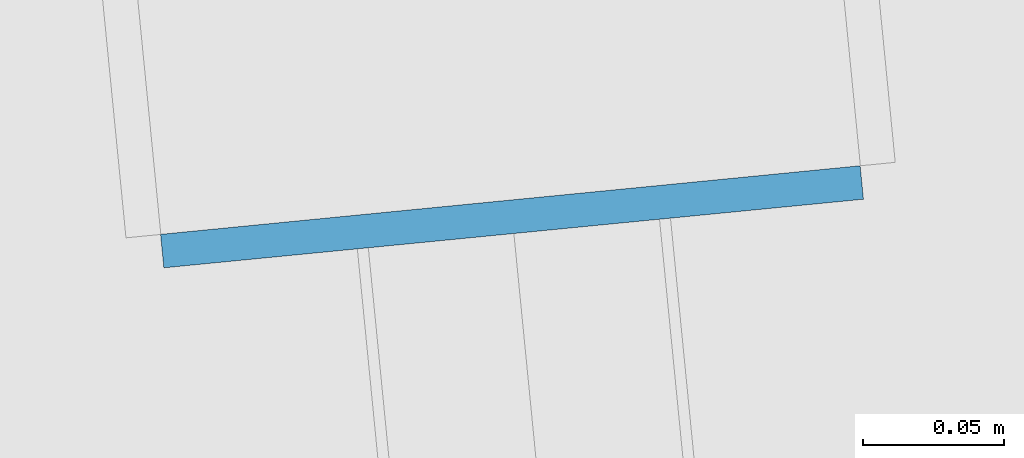
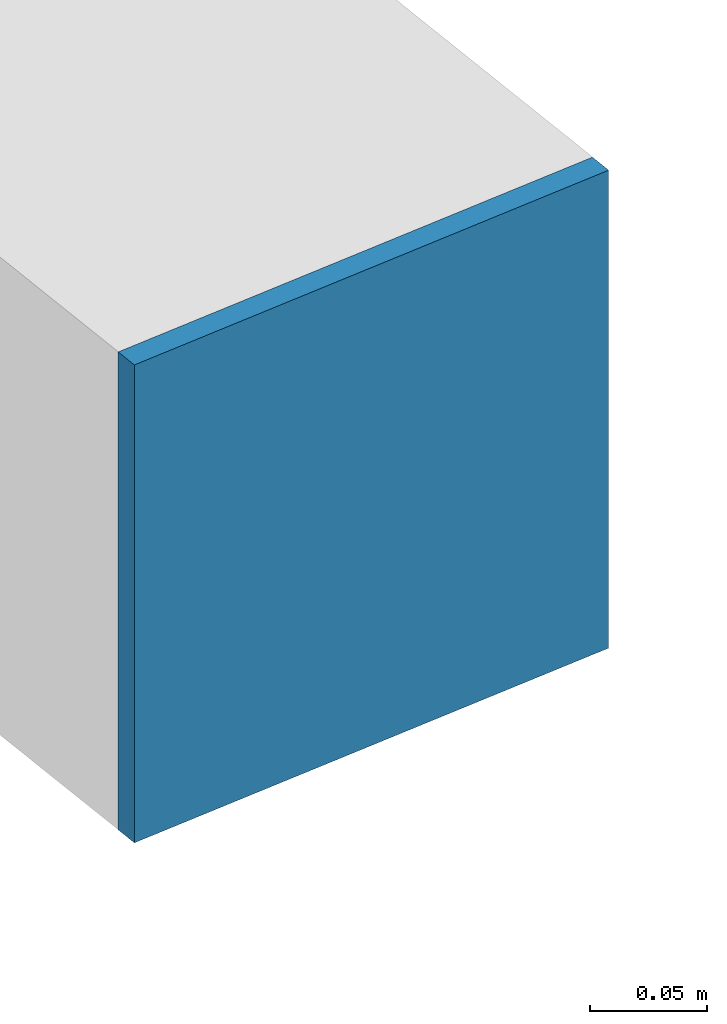
# One storey, part 39 of 52: 1 plate.
"""IFC4 building model written with IfcOpenShell, lengths in metres."""

from ifc_helpers import new_model, si_unit, direction, frame, origin, origin_2d, place, context, subcontext, project, spatial, rectangle, extrude, source, transform, mapped, material, layer, layer_set, type_object, element, save


model = new_model("IFC4")

# Units and contexts
model_context = context("Model", 3, precision=1e-05, world=origin(), true_north=direction((0.0, 1.0)))
body_context = subcontext(model_context, "Body", "Model", "MODEL_VIEW")
ifc_project = project(units=[si_unit("LENGTHUNIT", "METRE"), si_unit("AREAUNIT", "SQUARE_METRE"), si_unit("VOLUMEUNIT", "CUBIC_METRE"), si_unit("PLANEANGLEUNIT", "RADIAN"), si_unit("MASSUNIT", "GRAM", prefix="KILO")], contexts=[model_context])

# Site, building, storey
site_placement = place(None, origin())
site = spatial("IfcSite", under=ifc_project, at=site_placement, CompositionType="ELEMENT")
building_placement = place(site_placement, origin())
building = spatial("IfcBuilding", under=site, at=building_placement, Name="Taldren Reach Tower", CompositionType="ELEMENT")
storey_placement = place(building_placement, frame((0.0, 0.0, 77.699951171875)))
storey = spatial("IfcBuildingStorey", under=building, at=storey_placement, Name="L23", CompositionType="ELEMENT", Elevation=77.699951171875)

# Plate
ifc_material = material(Name="Steel Gr 350 (C350L0)", Category="steel")
ifc_layer = layer(ifc_material, 0.011962890625)
ifc_layer_set = layer_set([ifc_layer], Name="Steel Gr 350 (C350L0)")
plate_type = type_object("IfcPlateType", Name="PL-CAP-250", PredefinedType="SHEET", material=ifc_layer_set)
shared_shape = source(origin(), body_context, "Body", "SweptSolid", [
    extrude(rectangle(XDim=0.25, YDim=0.011962890625, at=origin_2d()), origin(), (0.0, 0.0, 1.0), 0.25),
])
plate_placement = place(storey_placement, frame((34.353515625, 0.2607421875, 0.094970703125), z_axis=(0.0, 0.0, 1.0), x_axis=(0.995227399982, 0.097582899759, 0.0)))
element("IfcPlate", 1, at=plate_placement, inside=storey, type_object=plate_type, Name="Tie strut end cap plate B2-S3 L23", PredefinedType="SHEET", context=body_context, shape_type="MappedRepresentation", body=[
    mapped(shared_shape, transform((0.0, 0.0, 0.0), scale=1.0)),
])

save(model, "model.ifc")
